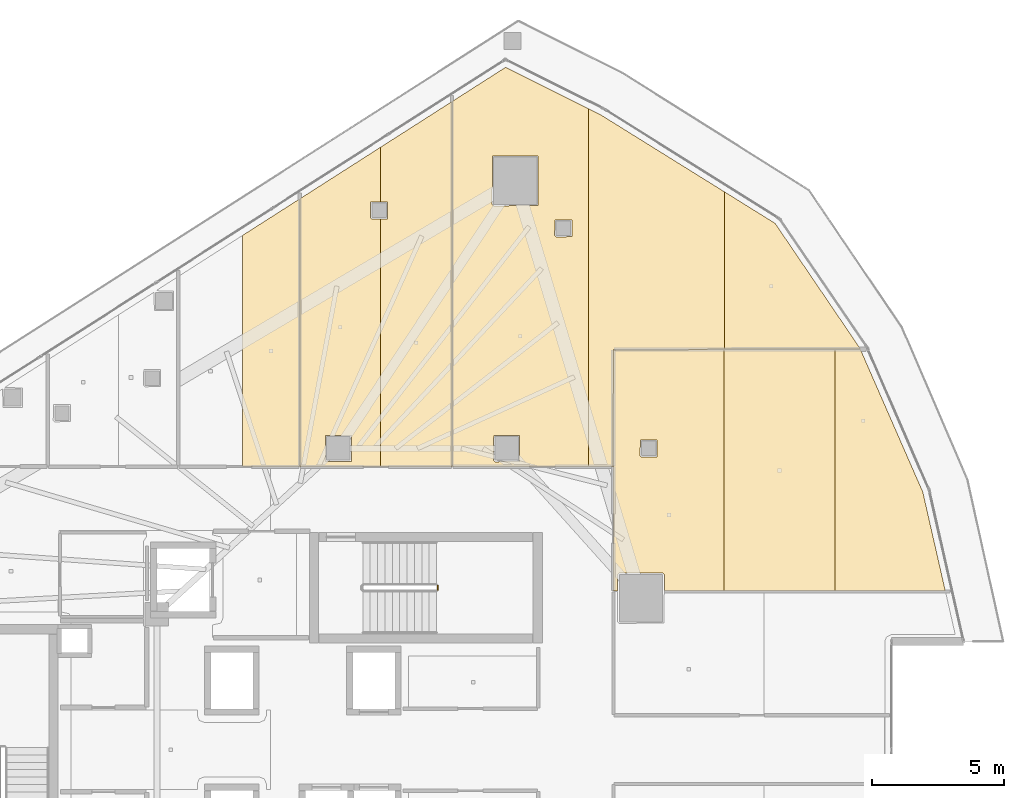
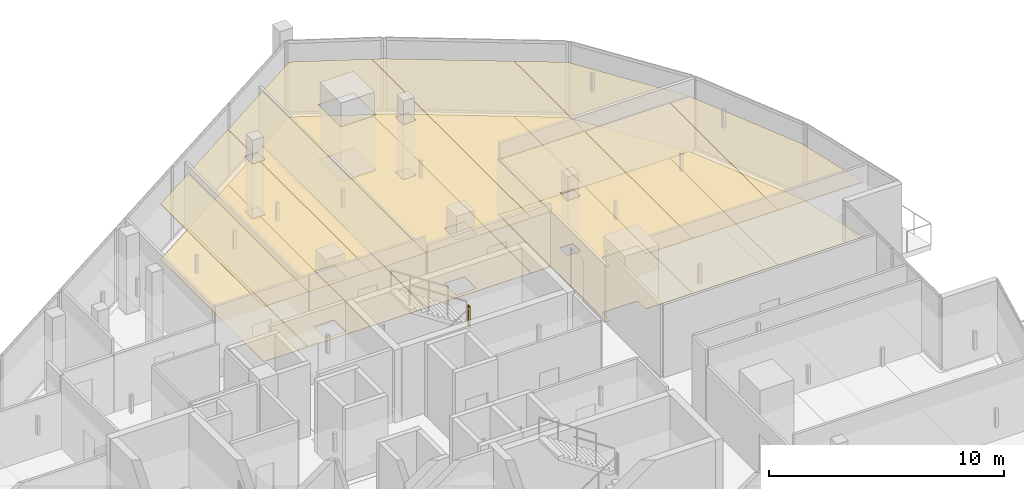
# One storey, part 33 of 33: 18 coverings, 1 railing.
"""IFC4 building model written with IfcOpenShell, lengths in metres."""

import ifcopenshell
import ifcopenshell.guid

model = None  # the IFC model being written
_history = None  # IfcOwnerHistory: only IFC2X3 demands one
_inside = {}  # id of a spatial element -> (the spatial element, [elements in it])
_under = {}  # id of a project, library or spatial element -> (it, [spatial elements below it])
_declared = {}  # id of a project -> (the project, [libraries it declares])
_typed = {}  # id of a type object -> (the type object, [elements of that type])
_made_of = {}  # id of a material, layer set ... -> (it, [elements and type objects made of it])


def new_model(schema):
    """Start an empty IFC model of exactly this schema.

    Asked for "IFC4X3", IfcOpenShell would pick the latest addendum, in which some entities
    have other attributes; the version numbers below select the first issue.
    IFC2X3 requires an IfcOwnerHistory on every rooted entity: one is made here for all.
    """
    global model, _history
    if schema == "IFC4X3":
        model = ifcopenshell.file(schema_version=(4, 3, 0, 0))
    else:
        model = ifcopenshell.file(schema=schema)
    _inside.clear()
    _under.clear()
    _declared.clear()
    _typed.clear()
    _made_of.clear()
    _history = None
    if model.schema == "IFC2X3":
        org = make("IfcOrganization", Name="unknown")
        user = make(
            "IfcPersonAndOrganization",
            ThePerson=make("IfcPerson", FamilyName="unknown"),
            TheOrganization=org,
        )
        app = make(
            "IfcApplication",
            ApplicationDeveloper=org,
            Version="unknown",
            ApplicationFullName="unknown",
            ApplicationIdentifier="unknown",
        )
        _history = make(
            "IfcOwnerHistory",
            OwningUser=user,
            OwningApplication=app,
            ChangeAction="ADDED",
            CreationDate=0,
        )
    return model


def make(cls, **values):
    """One entity of the class cls with the attributes given. An attribute that is None is left unset."""
    return model.create_entity(
        cls, **{name: value for name, value in values.items() if value is not None}
    )


def rooted(cls, **values):
    """An entity with a GlobalId (a new one), such as an element, a storey or a relation."""
    return make(cls, GlobalId=ifcopenshell.guid.new(), OwnerHistory=_history, **values)


def si_unit(unit_type, name, prefix=None):
    """IfcSIUnit, for example si_unit("LENGTHUNIT", "METRE", prefix="MILLI")."""
    return make("IfcSIUnit", UnitType=unit_type, Prefix=prefix, Name=name)


def assignment(units):
    """IfcUnitAssignment: the units of a project."""
    return None if units is None else make("IfcUnitAssignment", Units=units)


def point(xyz):
    """IfcCartesianPoint."""
    return None if xyz is None else make("IfcCartesianPoint", Coordinates=xyz)


def direction(xyz):
    """IfcDirection."""
    return None if xyz is None else make("IfcDirection", DirectionRatios=xyz)


def frame(location, z_axis=None, x_axis=None):
    """IfcAxis2Placement3D, a coordinate frame: its origin and axes. An axis left out is left unset."""
    return make(
        "IfcAxis2Placement3D",
        Location=point(location),
        Axis=direction(z_axis),
        RefDirection=direction(x_axis),
    )


def frame_2d(location, x_axis=None):
    """IfcAxis2Placement2D, a coordinate frame in the plane: its origin and x axis."""
    return make(
        "IfcAxis2Placement2D", Location=point(location), RefDirection=direction(x_axis)
    )


def origin():
    """The frame at (0, 0, 0) with its axes left unset."""
    return frame((0.0, 0.0, 0.0))


def origin_2d():
    """The frame at (0, 0) in the plane with its x axis left unset."""
    return frame_2d((0.0, 0.0))


def place(relative_to, where):
    """IfcLocalPlacement: puts the frame where relative to a parent placement (None: the world)."""
    return make(
        "IfcLocalPlacement", PlacementRelTo=relative_to, RelativePlacement=where
    )


def context(
    kind, dimensions, precision=None, world=None, true_north=None, identifier=None
):
    """IfcGeometricRepresentationContext, for example the 3D "Model" context."""
    return make(
        "IfcGeometricRepresentationContext",
        ContextIdentifier=identifier,
        ContextType=kind,
        CoordinateSpaceDimension=dimensions,
        Precision=precision,
        WorldCoordinateSystem=world,
        TrueNorth=true_north,
    )


def subcontext(parent, identifier, kind, view, scale=None):
    """IfcGeometricRepresentationSubContext, for example "Body" below "Model"."""
    return make(
        "IfcGeometricRepresentationSubContext",
        ContextIdentifier=identifier,
        ContextType=kind,
        ParentContext=parent,
        TargetScale=scale,
        TargetView=view,
    )


def project(units=None, contexts=None):
    """IfcProject with its units and contexts."""
    return rooted(
        "IfcProject",
        Name="project",
        RepresentationContexts=contexts,
        UnitsInContext=assignment(units),
    )


def spatial(cls, under=None, at=None, **own):
    """A site, building, storey or space (cls), placed at a placement, below another one or the project."""
    s = rooted(cls, ObjectPlacement=at, **own)
    if under is not None:
        _under.setdefault(under.id(), (under, []))[1].append(s)
    return s


def polyline(points):
    """IfcPolyline through the points."""
    return make("IfcPolyline", Points=[point(p) for p in points])


def profile(cls, at=None, kind="AREA", **sizes):
    """A parametric profile (cls). Its sizes go by their IFC names, for example OverallWidth=200.0."""
    return make(cls, ProfileType=kind, Position=at, **sizes)


def circle(**sizes):
    """IfcCircleProfileDef."""
    return profile("IfcCircleProfileDef", **sizes)


def outline(outer, holes=None, kind="AREA"):
    """IfcArbitraryClosedProfileDef: a profile drawn as a closed curve; with holes, ...WithVoids."""
    if holes is None:
        return make("IfcArbitraryClosedProfileDef", ProfileType=kind, OuterCurve=outer)
    return make(
        "IfcArbitraryProfileDefWithVoids",
        ProfileType=kind,
        OuterCurve=outer,
        InnerCurves=holes,
    )


def extrude(swept, where, along, depth):
    """IfcExtrudedAreaSolid: the profile swept, set in the frame where, extruded along a direction by depth."""
    return make(
        "IfcExtrudedAreaSolid",
        SweptArea=swept,
        Position=where,
        ExtrudedDirection=direction(along),
        Depth=depth,
    )


def shape(context_of_items, identifier, shape_type, items):
    """IfcShapeRepresentation: the items that make up one representation, for example the "Body"."""
    return make(
        "IfcShapeRepresentation",
        ContextOfItems=context_of_items,
        RepresentationIdentifier=identifier,
        RepresentationType=shape_type,
        Items=items,
    )


def material(Name=None, Category=None):
    """IfcMaterial."""
    return make("IfcMaterial", Name=Name, Category=Category)


def layer(
    of_material, thickness, ventilated=None, Name=None, Category=None, Priority=None
):
    """IfcMaterialLayer: one layer of a wall or slab, of a material (None: an air gap)."""
    return make(
        "IfcMaterialLayer",
        Material=of_material,
        LayerThickness=thickness,
        IsVentilated=ventilated,
        Name=Name,
        Category=Category,
        Priority=Priority,
    )


def layer_set(layers, Name=None):
    """IfcMaterialLayerSet."""
    return make("IfcMaterialLayerSet", MaterialLayers=layers, LayerSetName=Name)


def made_of(thing, what):
    """Note that an element or type object is made of a material, layer set ...; save() writes the relation."""
    if what is not None:
        _made_of.setdefault(what.id(), (what, []))[1].append(thing)
    return thing


def type_object(cls, material=None, **own):
    """A type object (cls), such as IfcWallType, which elements share."""
    return made_of(rooted(cls, **own), material)


def element(
    cls,
    number,
    at=None,
    inside=None,
    cuts=None,
    type_object=None,
    material=None,
    context=None,
    identifier="Body",
    shape_type=None,
    held_by="IfcProductDefinitionShape",
    body=None,
    shapes=None,
    **own,
):
    """One element of the class cls, such as IfcWall. Its Tag is "e" and its number.

    at: its placement. inside: the storey or other place that contains it. cuts: it is an
    opening in that element (IfcRelVoidsElement). A single representation is given by context,
    identifier, shape_type and body (its items); several are given by shapes. held_by: the class
    of the entity that holds the representations. save() writes the other relations.
    """
    e = rooted(cls, Tag="e%d" % number, ObjectPlacement=at, **own)
    if body is not None:
        shapes = [shape(context, identifier, shape_type, body)]
    if shapes is not None:
        e.Representation = make(held_by, Representations=shapes)
    if inside is not None:
        _inside.setdefault(inside.id(), (inside, []))[1].append(e)
    if cuts is not None:
        rooted(
            "IfcRelVoidsElement", RelatingBuildingElement=cuts, RelatedOpeningElement=e
        )
    if type_object is not None:
        _typed.setdefault(type_object.id(), (type_object, []))[1].append(e)
    return made_of(e, material)


def aggregate(whole, parts):
    """IfcRelAggregates: a whole, such as a stair, and the parts it consists of."""
    return rooted("IfcRelAggregates", RelatingObject=whole, RelatedObjects=parts)


def save(model, path):
    """Write the relations noted so far, then the file.

    IfcRelAggregates (storeys below a building ...), IfcRelContainedInSpatialStructure (elements
    in a storey), IfcRelDefinesByType, IfcRelAssociatesMaterial and IfcRelDeclares: one each for
    every whole, place, type object, material and project.
    """
    for whole, parts in _under.values():
        aggregate(whole, parts)
    for where, things in _inside.values():
        rooted(
            "IfcRelContainedInSpatialStructure",
            RelatedElements=things,
            RelatingStructure=where,
        )
    for kind, things in _typed.values():
        rooted("IfcRelDefinesByType", RelatedObjects=things, RelatingType=kind)
    for what, things in _made_of.values():
        rooted("IfcRelAssociatesMaterial", RelatedObjects=things, RelatingMaterial=what)
    for by, libraries in _declared.values():
        rooted("IfcRelDeclares", RelatingContext=by, RelatedDefinitions=libraries)
    model.write(path)


model = new_model("IFC4")

# Units and contexts
model_context = context("Model", 3, precision=1e-05, world=origin(), true_north=direction((0.0, 1.0)))
body_context = subcontext(model_context, "Body", "Model", "MODEL_VIEW")
ifc_project = project(units=[si_unit("LENGTHUNIT", "METRE"), si_unit("AREAUNIT", "SQUARE_METRE"), si_unit("VOLUMEUNIT", "CUBIC_METRE"), si_unit("PLANEANGLEUNIT", "RADIAN"), si_unit("MASSUNIT", "GRAM", prefix="KILO")], contexts=[model_context])

# Site, building, storey
site_placement = place(None, origin())
site = spatial("IfcSite", under=ifc_project, at=site_placement, CompositionType="ELEMENT")
building_placement = place(site_placement, origin())
building = spatial("IfcBuilding", under=site, at=building_placement, Name="Qorvath Tower", CompositionType="ELEMENT")
storey_placement = place(building_placement, frame((0.0, 0.0, 237.449951171875)))
storey = spatial("IfcBuildingStorey", under=building, at=storey_placement, Name="L55", CompositionType="ELEMENT", Elevation=237.449951171875)

# Coverings
ifc_material_1 = material(Name="Acoustic mineral fibre ceiling tile", Category="gypsum")
ifc_layer_1 = layer(ifc_material_1, 0.030029296875)
ifc_layer_set_1 = layer_set([ifc_layer_1], Name="COV-CEIL")
covering_type_1 = type_object("IfcCoveringType", Name="COV-CEIL", PredefinedType="CEILING", material=ifc_layer_set_1)
covering_1_placement = place(storey_placement, frame((0.0, 0.0, 2.85009765625)))
element("IfcCovering", 1, at=covering_1_placement, inside=storey, type_object=covering_type_1, Name="L55 Suspended Acoustic Ceiling 015", PredefinedType="CEILING", context=body_context, shape_type="SweptSolid", body=[
    extrude(outline(polyline([(-27.243408203125, 19.5439453125), (-27.243408203125, 10.762939453125), (-25.072021484375, 10.762939453125), (-25.072021484375, 20.931884765625), (-27.243408203125, 19.5439453125)])), origin(), (0.0, 0.0, 1.0), 0.030029296875),
])
covering_2_placement = place(storey_placement, frame((0.0, 0.0, 2.85009765625)))
element("IfcCovering", 2, at=covering_2_placement, inside=storey, type_object=covering_type_1, Name="L55 Suspended Acoustic Ceiling 016", PredefinedType="CEILING", context=body_context, shape_type="SweptSolid", body=[
    extrude(outline(polyline([(-25.053955078125, 10.762939453125), (-21.999267578125, 10.762939453125), (-21.999267578125, 20.169677734375), (-22.328125, 20.159912109375), (-22.38818359375, 20.219970703125), (-22.37060546875, 20.812255859375), (-21.999267578125, 20.812255859375), (-21.999267578125, 22.895751953125), (-25.053955078125, 20.943359375), (-25.053955078125, 10.762939453125)]), holes=[polyline([(-24.092529296875, 10.95751953125), (-24.092529296875, 11.9423828125), (-23.107666015625, 11.9423828125), (-23.107666015625, 10.95751953125), (-24.092529296875, 10.95751953125)])]), origin(), (0.0, 0.0, 1.0), 0.030029296875),
])
covering_3_placement = place(storey_placement, frame((0.0, 0.0, 2.85009765625)))
element("IfcCovering", 3, at=covering_3_placement, inside=storey, type_object=covering_type_1, Name="L55 Suspended Acoustic Ceiling 017", PredefinedType="CEILING", context=body_context, shape_type="SweptSolid", body=[
    extrude(outline(polyline([(-21.999267578125, 22.895751953125), (-21.999267578125, 20.812255859375), (-21.73583984375, 20.812255859375), (-21.73583984375, 20.177490234375), (-21.999267578125, 20.169677734375), (-21.999267578125, 10.762939453125), (-19.28466796875, 10.762939453125), (-19.28466796875, 24.630615234375), (-21.999267578125, 22.895751953125)])), origin(), (0.0, 0.0, 1.0), 0.030029296875),
])
covering_4_placement = place(storey_placement, frame((0.0, 0.0, 2.85009765625)))
element("IfcCovering", 4, at=covering_4_placement, inside=storey, type_object=covering_type_1, Name="L55 Suspended Acoustic Ceiling 018", PredefinedType="CEILING", context=body_context, shape_type="SweptSolid", body=[
    extrude(outline(polyline([(-14.09619140625, 10.762939453125), (-14.09619140625, 24.36376953125), (-17.241455078125, 25.9365234375), (-19.2666015625, 24.64208984375), (-19.2666015625, 10.762939453125), (-14.09619140625, 10.762939453125)]), holes=[polyline([(-15.381103515625, 19.543212890625), (-15.363525390625, 20.135498046875), (-14.728759765625, 20.135498046875), (-14.728759765625, 19.500732421875), (-15.321044921875, 19.483154296875), (-15.381103515625, 19.543212890625)]), polyline([(-17.756591796875, 20.72705078125), (-17.739013671875, 22.569580078125), (-16.00439453125, 22.569580078125), (-16.00439453125, 20.6845703125), (-17.69677734375, 20.6669921875), (-17.756591796875, 20.72705078125)]), polyline([(-17.7099609375, 11.0), (-17.6923828125, 11.9423828125), (-16.70751953125, 11.9423828125), (-16.70751953125, 10.95751953125), (-17.64990234375, 10.93994140625), (-17.7099609375, 11.0)])]), origin(), (0.0, 0.0, 1.0), 0.030029296875),
])
covering_5_placement = place(storey_placement, frame((0.0, 0.0, 2.85009765625)))
element("IfcCovering", 5, at=covering_5_placement, inside=storey, type_object=covering_type_1, Name="L55 Suspended Acoustic Ceiling 019", PredefinedType="CEILING", context=body_context, shape_type="SweptSolid", body=[
    extrude(outline(polyline([(-8.925537109375, 15.2197265625), (-8.925537109375, 21.202392578125), (-13.634765625, 24.133056640625), (-14.09619140625, 24.36376953125), (-14.09619140625, 10.762939453125), (-13.155029296875, 10.762939453125), (-13.14990234375, 15.214111328125), (-8.925537109375, 15.2197265625)])), origin(), (0.0, 0.0, 1.0), 0.030029296875),
])
covering_6_placement = place(storey_placement, frame((0.0, 0.0, 2.85009765625)))
element("IfcCovering", 6, at=covering_6_placement, inside=storey, type_object=covering_type_1, Name="L55 Suspended Acoustic Ceiling 020", PredefinedType="CEILING", context=body_context, shape_type="SweptSolid", body=[
    extrude(outline(polyline([(-3.7548828125, 15.2265625), (-6.998291015625, 20.0029296875), (-8.925537109375, 21.202392578125), (-8.925537109375, 15.2197265625), (-3.7548828125, 15.2265625)])), origin(), (0.0, 0.0, 1.0), 0.030029296875),
])
covering_7_placement = place(storey_placement, frame((0.0, 0.0, 2.85009765625)))
element("IfcCovering", 7, at=covering_7_placement, inside=storey, type_object=covering_type_1, Name="L55 Suspended Acoustic Ceiling 036", PredefinedType="CEILING", context=body_context, shape_type="SweptSolid", body=[
    extrude(outline(polyline([(-11.2119140625, 6.02587890625), (-8.934326171875, 6.02587890625), (-8.934326171875, 15.20166015625), (-13.136962890625, 15.196044921875), (-13.136962890625, 6.02587890625), (-12.981689453125, 6.02587890625), (-12.981689453125, 6.657958984375), (-12.921875, 6.718017578125), (-11.271728515625, 6.718017578125), (-11.2119140625, 6.657958984375), (-11.2119140625, 6.02587890625)]), holes=[polyline([(-12.135009765625, 11.175048828125), (-12.117431640625, 11.767333984375), (-11.482666015625, 11.767333984375), (-11.482666015625, 11.132568359375), (-12.074951171875, 11.114990234375), (-12.135009765625, 11.175048828125)])]), origin(), (0.0, 0.0, 1.0), 0.030029296875),
])
covering_8_placement = place(storey_placement, frame((0.0, 0.0, 2.85009765625)))
element("IfcCovering", 8, at=covering_8_placement, inside=storey, type_object=covering_type_1, Name="L55 Suspended Acoustic Ceiling 037", PredefinedType="CEILING", context=body_context, shape_type="SweptSolid", body=[
    extrude(outline(polyline([(-8.934326171875, 15.20166015625), (-8.934326171875, 6.02587890625), (-4.731689453125, 6.02587890625), (-4.731689453125, 15.207275390625), (-8.934326171875, 15.20166015625)])), origin(), (0.0, 0.0, 1.0), 0.030029296875),
])
covering_9_placement = place(storey_placement, frame((0.0, 0.0, 2.85009765625)))
element("IfcCovering", 9, at=covering_9_placement, inside=storey, type_object=covering_type_1, Name="L55 Suspended Acoustic Ceiling 038", PredefinedType="CEILING", context=body_context, shape_type="SweptSolid", body=[
    extrude(outline(polyline([(-4.731689453125, 15.207275390625), (-4.731689453125, 6.02587890625), (-0.529052734375, 6.02587890625), (-1.3876953125, 9.796142578125), (-3.7568359375, 15.20849609375), (-4.731689453125, 15.207275390625)])), origin(), (0.0, 0.0, 1.0), 0.030029296875),
])
ifc_material_2 = material(Name="Low-VOC modular carpet tile", Category="textile")
ifc_layer_2 = layer(ifc_material_2, 0.014892578125)
ifc_layer_set_2 = layer_set([ifc_layer_2], Name="COV-FLOOR-CPT")
covering_type_2 = type_object("IfcCoveringType", Name="COV-FLOOR-CPT", PredefinedType="FLOORING", material=ifc_layer_set_2)
covering_10_placement = place(storey_placement, origin())
element("IfcCovering", 10, at=covering_10_placement, inside=storey, type_object=covering_type_2, Name="L55 Floor Finish 015", PredefinedType="FLOORING", context=body_context, shape_type="SweptSolid", body=[
    extrude(outline(polyline([(-27.243408203125, 19.5439453125), (-27.243408203125, 10.762939453125), (-25.072021484375, 10.762939453125), (-25.072021484375, 20.931884765625), (-27.243408203125, 19.5439453125)])), origin(), (0.0, 0.0, 1.0), 0.01513671875),
])
covering_11_placement = place(storey_placement, origin())
element("IfcCovering", 11, at=covering_11_placement, inside=storey, type_object=covering_type_2, Name="L55 Floor Finish 016", PredefinedType="FLOORING", context=body_context, shape_type="SweptSolid", body=[
    extrude(outline(polyline([(-25.053955078125, 10.762939453125), (-21.999267578125, 10.762939453125), (-21.999267578125, 20.169677734375), (-22.328125, 20.159912109375), (-22.38818359375, 20.219970703125), (-22.37060546875, 20.812255859375), (-21.999267578125, 20.812255859375), (-21.999267578125, 22.895751953125), (-25.053955078125, 20.943359375), (-25.053955078125, 10.762939453125)]), holes=[polyline([(-24.092529296875, 10.95751953125), (-24.092529296875, 11.9423828125), (-23.107666015625, 11.9423828125), (-23.107666015625, 10.95751953125), (-24.092529296875, 10.95751953125)])]), origin(), (0.0, 0.0, 1.0), 0.01513671875),
])
covering_12_placement = place(storey_placement, origin())
element("IfcCovering", 12, at=covering_12_placement, inside=storey, type_object=covering_type_2, Name="L55 Floor Finish 017", PredefinedType="FLOORING", context=body_context, shape_type="SweptSolid", body=[
    extrude(outline(polyline([(-21.999267578125, 22.895751953125), (-21.999267578125, 20.812255859375), (-21.73583984375, 20.812255859375), (-21.73583984375, 20.177490234375), (-21.999267578125, 20.169677734375), (-21.999267578125, 10.762939453125), (-19.28466796875, 10.762939453125), (-19.28466796875, 24.630615234375), (-21.999267578125, 22.895751953125)])), origin(), (0.0, 0.0, 1.0), 0.01513671875),
])
covering_13_placement = place(storey_placement, origin())
element("IfcCovering", 13, at=covering_13_placement, inside=storey, type_object=covering_type_2, Name="L55 Floor Finish 018", PredefinedType="FLOORING", context=body_context, shape_type="SweptSolid", body=[
    extrude(outline(polyline([(-14.09619140625, 10.762939453125), (-14.09619140625, 24.36376953125), (-17.241455078125, 25.9365234375), (-19.2666015625, 24.64208984375), (-19.2666015625, 10.762939453125), (-14.09619140625, 10.762939453125)]), holes=[polyline([(-15.381103515625, 19.543212890625), (-15.363525390625, 20.135498046875), (-14.728759765625, 20.135498046875), (-14.728759765625, 19.500732421875), (-15.321044921875, 19.483154296875), (-15.381103515625, 19.543212890625)]), polyline([(-17.756591796875, 20.72705078125), (-17.739013671875, 22.569580078125), (-16.00439453125, 22.569580078125), (-16.00439453125, 20.6845703125), (-17.69677734375, 20.6669921875), (-17.756591796875, 20.72705078125)]), polyline([(-17.7099609375, 11.0), (-17.6923828125, 11.9423828125), (-16.70751953125, 11.9423828125), (-16.70751953125, 10.95751953125), (-17.64990234375, 10.93994140625), (-17.7099609375, 11.0)])]), origin(), (0.0, 0.0, 1.0), 0.01513671875),
])
covering_14_placement = place(storey_placement, origin())
element("IfcCovering", 14, at=covering_14_placement, inside=storey, type_object=covering_type_2, Name="L55 Floor Finish 019", PredefinedType="FLOORING", context=body_context, shape_type="SweptSolid", body=[
    extrude(outline(polyline([(-8.925537109375, 15.2197265625), (-8.925537109375, 21.202392578125), (-13.634765625, 24.133056640625), (-14.09619140625, 24.36376953125), (-14.09619140625, 10.762939453125), (-13.155029296875, 10.762939453125), (-13.14990234375, 15.214111328125), (-8.925537109375, 15.2197265625)])), origin(), (0.0, 0.0, 1.0), 0.01513671875),
])
covering_15_placement = place(storey_placement, origin())
element("IfcCovering", 15, at=covering_15_placement, inside=storey, type_object=covering_type_2, Name="L55 Floor Finish 020", PredefinedType="FLOORING", context=body_context, shape_type="SweptSolid", body=[
    extrude(outline(polyline([(-3.7548828125, 15.2265625), (-6.998291015625, 20.0029296875), (-8.925537109375, 21.202392578125), (-8.925537109375, 15.2197265625), (-3.7548828125, 15.2265625)])), origin(), (0.0, 0.0, 1.0), 0.01513671875),
])
covering_16_placement = place(storey_placement, origin())
element("IfcCovering", 16, at=covering_16_placement, inside=storey, type_object=covering_type_2, Name="L55 Floor Finish 036", PredefinedType="FLOORING", context=body_context, shape_type="SweptSolid", body=[
    extrude(outline(polyline([(-11.2119140625, 6.02587890625), (-8.934326171875, 6.02587890625), (-8.934326171875, 15.20166015625), (-13.136962890625, 15.196044921875), (-13.136962890625, 6.02587890625), (-12.981689453125, 6.02587890625), (-12.981689453125, 6.657958984375), (-12.921875, 6.718017578125), (-11.271728515625, 6.718017578125), (-11.2119140625, 6.657958984375), (-11.2119140625, 6.02587890625)]), holes=[polyline([(-12.135009765625, 11.175048828125), (-12.117431640625, 11.767333984375), (-11.482666015625, 11.767333984375), (-11.482666015625, 11.132568359375), (-12.074951171875, 11.114990234375), (-12.135009765625, 11.175048828125)])]), origin(), (0.0, 0.0, 1.0), 0.01513671875),
])
covering_17_placement = place(storey_placement, origin())
element("IfcCovering", 17, at=covering_17_placement, inside=storey, type_object=covering_type_2, Name="L55 Floor Finish 037", PredefinedType="FLOORING", context=body_context, shape_type="SweptSolid", body=[
    extrude(outline(polyline([(-8.934326171875, 15.20166015625), (-8.934326171875, 6.02587890625), (-4.731689453125, 6.02587890625), (-4.731689453125, 15.207275390625), (-8.934326171875, 15.20166015625)])), origin(), (0.0, 0.0, 1.0), 0.01513671875),
])
covering_18_placement = place(storey_placement, origin())
element("IfcCovering", 18, at=covering_18_placement, inside=storey, type_object=covering_type_2, Name="L55 Floor Finish 038", PredefinedType="FLOORING", context=body_context, shape_type="SweptSolid", body=[
    extrude(outline(polyline([(-4.731689453125, 15.207275390625), (-4.731689453125, 6.02587890625), (-0.529052734375, 6.02587890625), (-1.3876953125, 9.796142578125), (-3.7568359375, 15.20849609375), (-4.731689453125, 15.207275390625)])), origin(), (0.0, 0.0, 1.0), 0.01513671875),
])

# Railing
ifc_material_3 = material(Name="Painted galvanised steel", Category="steel")
railing_type = type_object("IfcRailingType", Name="RL-STR-GRD", PredefinedType="GUARDRAIL", material=ifc_material_3)
railing_placement = place(storey_placement, frame((-19.820068359375, 6.080078125, 2.025146484375)))
element("IfcRailing", 19, at=railing_placement, inside=storey, type_object=railing_type, Name="L55 TS1 stair guard 2", PredefinedType="GUARDRAIL", context=body_context, shape_type="SweptSolid", body=[
    extrude(circle(Radius=0.02392578125, at=origin_2d()), frame((0.0, 0.0, 1.076171875), z_axis=(0.0, 1.0, 0.0), x_axis=(-1.0, 0.0, 0.0)), (0.0, 0.0, 1.0), 0.14990234375),
    extrude(circle(Radius=0.02099609375, at=origin_2d()), origin(), (0.0, 0.0, 1.0), 1.052001953125),
    extrude(circle(Radius=0.02099609375, at=origin_2d()), frame((0.0, 0.14990234375, 0.0)), (0.0, 0.0, 1.0), 1.052001953125),
])

save(model, "model.ifc")
